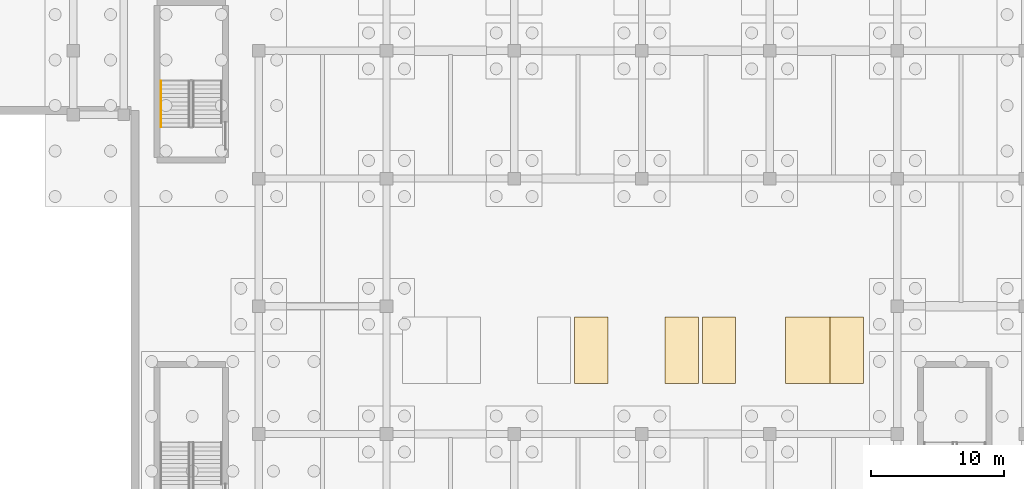
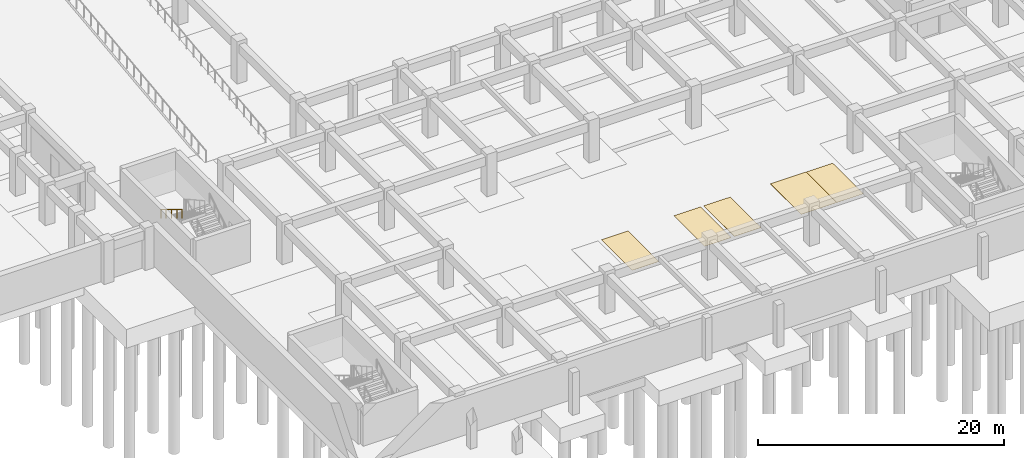
# One storey, part 30 of 39: 5 coverings, 1 railing.
"""IFC4 building model written with IfcOpenShell, lengths in metres."""

from ifc_helpers import new_model, si_unit, direction, frame, origin, origin_2d, place, context, subcontext, project, spatial, polyline, circle, outline, extrude, material, layer, layer_set, type_object, element, save


model = new_model("IFC4")

# Units and contexts
model_context = context("Model", 3, precision=1e-05, world=origin(), true_north=direction((0.0, 1.0)))
body_context = subcontext(model_context, "Body", "Model", "MODEL_VIEW")
ifc_project = project(units=[si_unit("LENGTHUNIT", "METRE"), si_unit("AREAUNIT", "SQUARE_METRE"), si_unit("VOLUMEUNIT", "CUBIC_METRE"), si_unit("PLANEANGLEUNIT", "RADIAN"), si_unit("MASSUNIT", "GRAM", prefix="KILO")], contexts=[model_context])

# Site, building, storey
site_placement = place(None, origin())
site = spatial("IfcSite", under=ifc_project, at=site_placement, CompositionType="ELEMENT")
building_placement = place(site_placement, origin())
building = spatial("IfcBuilding", under=site, at=building_placement, Name="Nakhvara Creek Congress Hotel", CompositionType="ELEMENT")
storey_placement = place(building_placement, frame((0.0, 0.0, -8.39990234375)))
storey = spatial("IfcBuildingStorey", under=building, at=storey_placement, Name="B2", CompositionType="ELEMENT", Elevation=-8.39990234375)

# Coverings
ifc_material_1 = material(Name="Thermoplastic reflective parking bay marking")
ifc_layer = layer(ifc_material_1, 0.014892578125)
ifc_layer_set = layer_set([ifc_layer], Name="Thermoplastic reflective parking bay marking")
covering_type = type_object("IfcCoveringType", Name="COV-PARK-MRK", PredefinedType="USERDEFINED", material=ifc_layer_set)
covering_1_placement = place(storey_placement, frame((0.0, 0.0, 0.0078125)))
element("IfcCovering", 1, at=covering_1_placement, inside=storey, type_object=covering_type, Name="Parking Bay Demarcation B2-006", ObjectType="ROAD_MARKING", PredefinedType="USERDEFINED", context=body_context, shape_type="SweptSolid", body=[
    extrude(outline(polyline([(90.949951171875, 13.39990234375), (93.449951171875, 13.39990234375), (93.449951171875, 18.39990234375), (90.949951171875, 18.39990234375), (90.949951171875, 13.39990234375)])), origin(), (0.0, 0.0, 1.0), 0.01220703125),
])
covering_2_placement = place(storey_placement, frame((0.0, 0.0, 0.0078125)))
element("IfcCovering", 2, at=covering_2_placement, inside=storey, type_object=covering_type, Name="Parking Bay Demarcation B2-007", ObjectType="ROAD_MARKING", PredefinedType="USERDEFINED", context=body_context, shape_type="SweptSolid", body=[
    extrude(outline(polyline([(97.75, 13.39990234375), (100.25, 13.39990234375), (100.25, 18.39990234375), (97.75, 18.39990234375), (97.75, 13.39990234375)])), origin(), (0.0, 0.0, 1.0), 0.01220703125),
])
covering_3_placement = place(storey_placement, frame((0.0, 0.0, 0.0078125)))
element("IfcCovering", 3, at=covering_3_placement, inside=storey, type_object=covering_type, Name="Parking Bay Demarcation B2-008", ObjectType="ROAD_MARKING", PredefinedType="USERDEFINED", context=body_context, shape_type="SweptSolid", body=[
    extrude(outline(polyline([(100.550048828125, 13.39990234375), (103.050048828125, 13.39990234375), (103.050048828125, 18.39990234375), (100.550048828125, 18.39990234375), (100.550048828125, 13.39990234375)])), origin(), (0.0, 0.0, 1.0), 0.01220703125),
])
covering_4_placement = place(storey_placement, frame((0.0, 0.0, 0.0078125)))
element("IfcCovering", 4, at=covering_4_placement, inside=storey, type_object=covering_type, Name="Accessible Parking Bay B2-09", ObjectType="ROAD_MARKING", PredefinedType="USERDEFINED", context=body_context, shape_type="SweptSolid", body=[
    extrude(outline(polyline([(106.800048828125, 13.39990234375), (110.39990234375, 13.39990234375), (110.39990234375, 18.39990234375), (106.800048828125, 18.39990234375), (106.800048828125, 13.39990234375)])), origin(), (0.0, 0.0, 1.0), 0.01220703125),
])
covering_5_placement = place(storey_placement, frame((0.0, 0.0, 0.0078125)))
element("IfcCovering", 5, at=covering_5_placement, inside=storey, type_object=covering_type, Name="Parking Bay Demarcation B2-010", ObjectType="ROAD_MARKING", PredefinedType="USERDEFINED", context=body_context, shape_type="SweptSolid", body=[
    extrude(outline(polyline([(110.14990234375, 13.39990234375), (112.64990234375, 13.39990234375), (112.64990234375, 18.39990234375), (110.14990234375, 18.39990234375), (110.14990234375, 13.39990234375)])), origin(), (0.0, 0.0, 1.0), 0.01220703125),
])

# Railing
ifc_material_2 = material(Name="Brushed stainless steel 316L", Category="steel")
railing_type = type_object("IfcRailingType", Name="RL-HAND-900", PredefinedType="HANDRAIL", material=ifc_material_2)
railing_placement = place(storey_placement, frame((59.844970703125, 36.14501953125, 2.27490234375)))
element("IfcRailing", 6, at=railing_placement, inside=storey, type_object=railing_type, Name="B2 ST13 stair handrail 2", PredefinedType="HANDRAIL", context=body_context, shape_type="SweptSolid", body=[
    extrude(circle(Radius=0.02392578125, at=origin_2d()), frame((0.0, -0.012451171875, 0.883544921875), z_axis=(0.0, -0.853990507121, 0.520288586985), x_axis=(1.0, 0.0, 0.0)), (0.0, 0.0, 1.0), 4.028076171875),
    extrude(circle(Radius=0.02099609375, at=origin_2d()), origin(), (0.0, 0.0, 1.0), 0.880615234375),
    extrude(circle(Radius=0.02099609375, at=origin_2d()), frame((0.0, -0.8662109375, 0.52783203125)), (0.0, 0.0, 1.0), 0.880615234375),
    extrude(circle(Radius=0.02099609375, at=origin_2d()), frame((0.0, -1.732421875, 1.0556640625)), (0.0, 0.0, 1.0), 0.880615234375),
    extrude(circle(Radius=0.02099609375, at=origin_2d()), frame((0.0, -2.598876953125, 1.583251953125)), (0.0, 0.0, 1.0), 0.880615234375),
    extrude(circle(Radius=0.02099609375, at=origin_2d()), frame((0.0, -3.465087890625, 2.111083984375)), (0.0, 0.0, 1.0), 0.880615234375),
])

save(model, "model.ifc")
